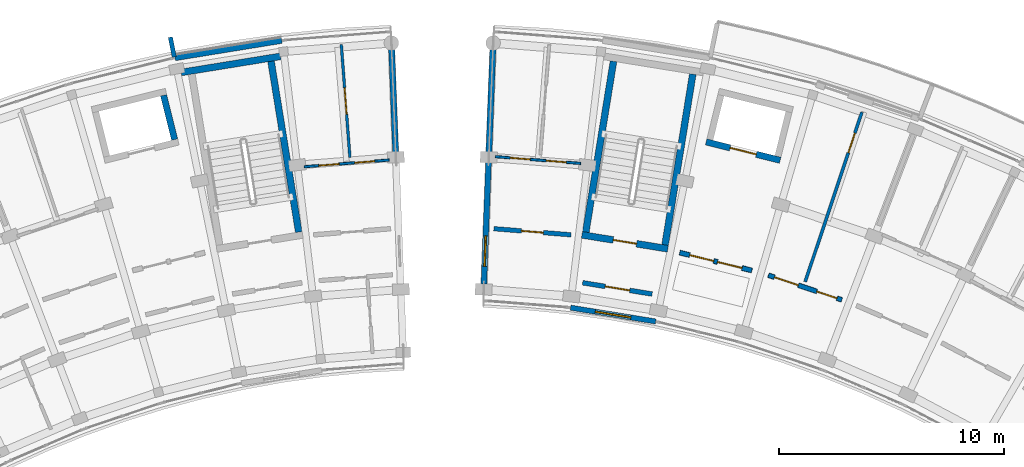
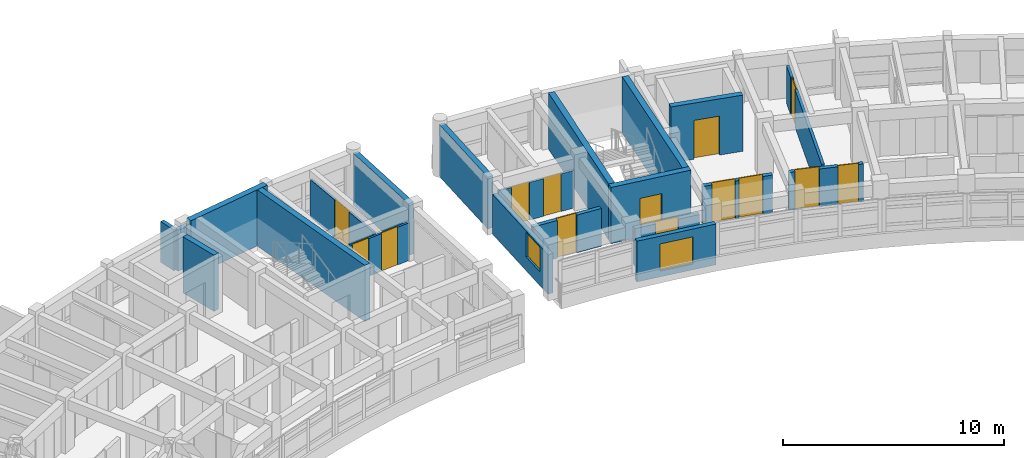
# One storey, part 27 of 40: 21 walls, 14 doors, 2 windows, 16 openings.
"""IFC4 building model written with IfcOpenShell, lengths in metres."""

from ifc_helpers import new_model, si_unit, direction, frame, frame_2d, origin, place, context, subcontext, project, spatial, rectangle, extrude, material, layer, layer_set, type_object, element, fill, save


model = new_model("IFC4")

# Units and contexts
model_context = context("Model", 3, precision=1e-05, world=origin(), true_north=direction((0.0, 1.0)))
body_context = subcontext(model_context, "Body", "Model", "MODEL_VIEW")
ifc_project = project(units=[si_unit("LENGTHUNIT", "METRE"), si_unit("AREAUNIT", "SQUARE_METRE"), si_unit("VOLUMEUNIT", "CUBIC_METRE"), si_unit("PLANEANGLEUNIT", "RADIAN"), si_unit("MASSUNIT", "GRAM", prefix="KILO")], contexts=[model_context])

# Site, building, storey
site_placement = place(None, origin())
site = spatial("IfcSite", under=ifc_project, at=site_placement, CompositionType="ELEMENT")
building_placement = place(site_placement, origin())
building = spatial("IfcBuilding", under=site, at=building_placement, Name="Zimvara Arc Housing Community", CompositionType="ELEMENT")
storey_placement = place(building_placement, frame((0.0, 0.0, 32.89990234375)))
storey = spatial("IfcBuildingStorey", under=building, at=storey_placement, Name="L10", CompositionType="ELEMENT", Elevation=32.89990234375)

# Wall, opening, window
ifc_material_1 = material(Name="Board-Marked Fair-Faced Concrete C35/45", Category="concrete")
ifc_layer_1 = layer(ifc_material_1, 0.22998046875)
ifc_layer_set_1 = layer_set([ifc_layer_1], Name="Board-Marked Fair-Faced Concrete C35/45")
wall_type_1 = type_object("IfcWallType", Name="EWL-CONC-230", PredefinedType="SOLIDWALL", material=ifc_layer_set_1)
wall_1_placement = place(storey_placement, frame((50.7001953125, 91.575439453125, 0.0), z_axis=(0.0, 0.0, 1.0), x_axis=(0.987080708519, -0.160223827412, 0.0)))
wall_1 = element("IfcWall", 1, at=wall_1_placement, inside=storey, type_object=wall_type_1, Name="ewall:blkB:L10:in:b1", PredefinedType="SOLIDWALL", context=body_context, shape_type="SweptSolid", body=[
    extrude(rectangle(XDim=3.832275390625, YDim=0.22998046875, at=frame_2d((1.916015625, 0.0))), origin(), (0.0, 0.0, 1.0), 2.25),
])
opening_1_placement = place(wall_1_placement, frame((1.1162109375, 0.0, 0.320068359375)))
opening_1 = element("IfcOpeningElement", 2, at=opening_1_placement, cuts=wall_1, Name="Opening W03", PredefinedType="OPENING", context=body_context, shape_type="SweptSolid", body=[
    extrude(rectangle(XDim=1.60009765625, YDim=1.5, at=frame_2d((0.800048828125, 0.75))), frame((0.0, 0.125, 0.0), z_axis=(0.0, -1.0, 0.0), x_axis=(1.0, 0.0, 0.0)), (0.0, 0.0, 1.0), 0.25),
])
ifc_material_2 = material(Name="Solar Control Low-E Double Glazing", Category="glass")
window_type_1 = type_object("IfcWindowType", Name="WIN-RES-1600x1500", PartitioningType="DOUBLE_PANEL_VERTICAL", PredefinedType="WINDOW", material=ifc_material_2)
window_1_placement = place(opening_1_placement, origin())
window_1 = element("IfcWindow", 3, at=window_1_placement, inside=storey, type_object=window_type_1, Name="win:blkB:L10:in:b1", OverallHeight=1.5, OverallWidth=1.60009765625, PartitioningType="DOUBLE_PANEL_VERTICAL", PredefinedType="WINDOW", context=body_context, shape_type="SweptSolid", body=[
    extrude(rectangle(XDim=1.60009765625, YDim=1.5, at=frame_2d((0.800048828125, 0.75))), frame((0.0, 0.030029296875, 0.0), z_axis=(0.0, -1.0, 0.0), x_axis=(1.0, 0.0, 0.0)), (0.0, 0.0, 1.0), 0.06005859375),
])
fill(opening_1, window_1)

ifc_material_3 = material(Name="Board-Marked Fair-Faced Concrete C35/45", Category="concrete")
ifc_layer_2 = layer(ifc_material_3, 0.2548828125)
ifc_layer_set_2 = layer_set([ifc_layer_2], Name="Board-Marked Fair-Faced Concrete C35/45")
wall_type_2 = type_object("IfcWallType", Name="EWL-CONC-255", PredefinedType="SOLIDWALL", material=ifc_layer_set_2)
wall_2_placement = place(storey_placement, frame((46.848876953125, 92.62451171875, 0.0), z_axis=(0.0, 0.0, 1.0), x_axis=(0.038384504742, 0.999263043345, 0.0)))
wall_2 = element("IfcWall", 4, at=wall_2_placement, inside=storey, type_object=wall_type_2, Name="ewall:blkB:L10:g0", PredefinedType="SOLIDWALL", context=body_context, shape_type="SweptSolid", body=[
    extrude(rectangle(XDim=5.39990234375, YDim=0.2548828125, at=frame_2d((2.699951171875, 0.0))), origin(), (0.0, 0.0, 1.0), 2.18017578125),
])
opening_2_placement = place(wall_2_placement, frame((0.7900390625, 0.0, 0.75)))
opening_2 = element("IfcOpeningElement", 5, at=opening_2_placement, cuts=wall_2, Name="Opening W12", PredefinedType="OPENING", context=body_context, shape_type="SweptSolid", body=[
    extrude(rectangle(XDim=1.35009765625, YDim=1.35009765625, at=frame_2d((0.675048828125, 0.675048828125))), frame((0.0, 0.137451171875, 0.0), z_axis=(0.0, -1.0, 0.0), x_axis=(1.0, 0.0, 0.0)), (0.0, 0.0, 1.0), 0.27490234375),
])
ifc_material_4 = material(Name="Solar Control Low-E Double Glazing", Category="glass")
window_type_2 = type_object("IfcWindowType", Name="WIN-RES-1350x1350", PartitioningType="DOUBLE_PANEL_VERTICAL", PredefinedType="WINDOW", material=ifc_material_4)
window_2_placement = place(opening_2_placement, origin())
window_2 = element("IfcWindow", 6, at=window_2_placement, inside=storey, type_object=window_type_2, Name="win:blkB:L10:g0:w", OverallHeight=1.35009765625, OverallWidth=1.35009765625, PartitioningType="DOUBLE_PANEL_VERTICAL", PredefinedType="WINDOW", context=body_context, shape_type="SweptSolid", body=[
    extrude(rectangle(XDim=1.35009765625, YDim=1.35009765625, at=frame_2d((0.675048828125, 0.675048828125))), frame((0.0, 0.030029296875, 0.0), z_axis=(0.0, -1.0, 0.0), x_axis=(1.0, 0.0, 0.0)), (0.0, 0.0, 1.0), 0.06005859375),
])
fill(opening_2, window_2)

# Walls
ifc_material_5 = material(Name="Board-Marked Fair-Faced Concrete C35/45", Category="concrete")
ifc_layer_3 = layer(ifc_material_5, 0.195068359375)
ifc_layer_set_3 = layer_set([ifc_layer_3], Name="Board-Marked Fair-Faced Concrete C35/45")
wall_type_3 = type_object("IfcWallType", Name="EWL-PARA-195", PredefinedType="PARAPET", material=ifc_layer_set_3)
wall_3_placement = place(storey_placement, frame((33.092529296875, 102.714599609375, 0.0), z_axis=(0.0, 0.0, 1.0), x_axis=(-0.200183211319, 0.979758481416, 0.0)))
element("IfcWall", 7, at=wall_3_placement, inside=storey, type_object=wall_type_3, Name="finwall:blkA:L10:out:b8", PredefinedType="PARAPET", context=body_context, shape_type="SweptSolid", body=[
    extrude(rectangle(XDim=0.900146484375, YDim=0.195068359375, at=frame_2d((0.4501953125, 0.0))), origin(), (0.0, 0.0, 1.0), 2.25),
])
ifc_material_6 = material(Name="Board-Marked Fair-Faced Concrete C35/45", Category="concrete")
ifc_layer_4 = layer(ifc_material_6, 0.258056640625)
ifc_layer_set_4 = layer_set([ifc_layer_4], Name="Board-Marked Fair-Faced Concrete C35/45")
wall_type_4 = type_object("IfcWallType", Name="EWL-VAR-19", PredefinedType="SOLIDWALL", material=ifc_layer_set_4)
wall_4_placement = place(storey_placement, frame((33.120361328125, 102.6787109375, 0.0), z_axis=(0.0, 0.0, 1.0), x_axis=(0.987080750493, 0.160223568819, 0.0)))
element("IfcWall", 8, at=wall_4_placement, inside=storey, type_object=wall_type_4, Name="ewall:blkA:L10:out:b8", PredefinedType="SOLIDWALL", context=body_context, shape_type="SweptSolid", body=[
    extrude(rectangle(XDim=4.808837890625, YDim=0.258056640625, at=frame_2d((2.404296875, 0.0))), origin(), (0.0, 0.0, 1.0), 2.25),
])

# Wall, opening, door
ifc_material_7 = material(Name="Concrete C35/45", Category="concrete")
ifc_layer_5 = layer(ifc_material_7, 0.2099609375)
ifc_layer_set_5 = layer_set([ifc_layer_5], Name="Concrete C35/45")
wall_type_5 = type_object("IfcWallType", Name="IWL-CCF-210", PredefinedType="SOLIDWALL", material=ifc_layer_set_5)
wall_5_placement = place(storey_placement, frame((51.236328125, 92.682861328125, 0.0), z_axis=(0.0, 0.0, 1.0), x_axis=(0.98707079686, -0.160284877599, 0.0)))
wall_5 = element("IfcWall", 9, at=wall_5_placement, inside=storey, type_object=wall_type_5, Name="iwall:blkB:L10:ccf_div:b1", PredefinedType="SOLIDWALL", context=body_context, shape_type="SweptSolid", body=[
    extrude(rectangle(XDim=3.128662109375, YDim=0.2099609375, at=frame_2d((1.564453125, 0.0))), origin(), (0.0, 0.0, 1.0), 2.080078125),
])
opening_3_placement = place(wall_5_placement, frame((1.014404296875, 0.0, 0.0)))
opening_3 = element("IfcOpeningElement", 10, at=opening_3_placement, cuts=wall_5, Name="Opening FD-CCF1", PredefinedType="OPENING", context=body_context, shape_type="SweptSolid", body=[
    extrude(rectangle(XDim=1.10009765625, YDim=2.14990234375, at=frame_2d((0.550048828125, 1.074951171875))), frame((0.0, 0.114990234375, 0.0), z_axis=(0.0, -1.0, 0.0), x_axis=(1.0, 0.0, 0.0)), (0.0, 0.0, 1.0), 0.22998046875),
])
ifc_material_8 = material(Name="Anodised Aluminium AW-6063", Category="aluminium")
door_type_1 = type_object("IfcDoorType", Name="IDR-CCF-1100x2150", OperationType="NOTDEFINED", PredefinedType="DOOR", material=ifc_material_8)
door_1_placement = place(opening_3_placement, origin())
door_1 = element("IfcDoor", 11, at=door_1_placement, inside=storey, type_object=door_type_1, Name="idoor:blkB:L10:ccf_in:b1", OperationType="SINGLE_SWING_LEFT", OverallHeight=2.14990234375, OverallWidth=1.10009765625, PredefinedType="DOOR", context=body_context, shape_type="SweptSolid", body=[
    extrude(rectangle(XDim=1.10009765625, YDim=2.14990234375, at=frame_2d((0.550048828125, 1.074951171875))), frame((0.0, 0.02490234375, 0.0), z_axis=(0.0, -1.0, 0.0), x_axis=(1.0, 0.0, 0.0)), (0.0, 0.0, 1.0), 0.050048828125),
])
fill(opening_3, door_1)

# Wall, openings, doors
wall_6_placement = place(storey_placement, frame((55.5576171875, 94.021728515625, 0.0), z_axis=(0.0, 0.0, 1.0), x_axis=(0.970719238682, -0.240216901263, 0.0)))
wall_6 = element("IfcWall", 12, at=wall_6_placement, inside=storey, type_object=wall_type_5, Name="iwall:blkB:L10:ll_div:b2", PredefinedType="SOLIDWALL", context=body_context, shape_type="SweptSolid", body=[
    extrude(rectangle(XDim=3.2958984375, YDim=0.2099609375, at=frame_2d((1.64794921875, 0.0))), origin(), (0.0, 0.0, 1.0), 2.080078125),
])
opening_4_placement = place(wall_6_placement, frame((0.449951171875, 0.0, 0.0)))
opening_4 = element("IfcOpeningElement", 13, at=opening_4_placement, cuts=wall_6, Name="Opening FD-CCF1", PredefinedType="OPENING", context=body_context, shape_type="SweptSolid", body=[
    extrude(rectangle(XDim=1.10009765625, YDim=2.14990234375, at=frame_2d((0.550048828125, 1.074951171875))), frame((0.0, 0.114990234375, 0.0), z_axis=(0.0, -1.0, 0.0), x_axis=(1.0, 0.0, 0.0)), (0.0, 0.0, 1.0), 0.22998046875),
])
opening_5_placement = place(wall_6_placement, frame((1.72607421875, 0.0, 0.0)))
opening_5 = element("IfcOpeningElement", 14, at=opening_5_placement, cuts=wall_6, Name="Opening D07", PredefinedType="OPENING", context=body_context, shape_type="SweptSolid", body=[
    extrude(rectangle(XDim=1.1201171875, YDim=2.14990234375, at=frame_2d((0.56005859375, 1.074951171875))), frame((0.0, 0.114990234375, 0.0), z_axis=(0.0, -1.0, 0.0), x_axis=(1.0, 0.0, 0.0)), (0.0, 0.0, 1.0), 0.22998046875),
])
ifc_material_9 = material(Name="Mozambican Hardwood", Category="wood")
door_type_2 = type_object("IfcDoorType", Name="IDR-AMN-1120x2150", OperationType="NOTDEFINED", PredefinedType="DOOR", material=ifc_material_9)
door_2_placement = place(opening_5_placement, origin())
door_2 = element("IfcDoor", 15, at=door_2_placement, inside=storey, type_object=door_type_2, Name="idoor:blkB:L10:rs_in:b2", OperationType="SINGLE_SWING_LEFT", OverallHeight=2.14990234375, OverallWidth=1.1201171875, PredefinedType="DOOR", context=body_context, shape_type="SweptSolid", body=[
    extrude(rectangle(XDim=1.1201171875, YDim=2.14990234375, at=frame_2d((0.56005859375, 1.074951171875))), frame((0.0, 0.02490234375, 0.0), z_axis=(0.0, -1.0, 0.0), x_axis=(1.0, 0.0, 0.0)), (0.0, 0.0, 1.0), 0.050048828125),
])
fill(opening_5, door_2)
door_3_placement = place(opening_4_placement, origin())
door_3 = element("IfcDoor", 16, at=door_3_placement, inside=storey, type_object=door_type_1, Name="idoor:blkB:L10:ll_in:b2", OperationType="SINGLE_SWING_RIGHT", OverallHeight=2.14990234375, OverallWidth=1.10009765625, PredefinedType="DOOR", context=body_context, shape_type="SweptSolid", body=[
    extrude(rectangle(XDim=1.10009765625, YDim=2.14990234375, at=frame_2d((0.550048828125, 1.074951171875))), frame((0.0, 0.02490234375, 0.0), z_axis=(0.0, -1.0, 0.0), x_axis=(1.0, 0.0, 0.0)), (0.0, 0.0, 1.0), 0.050048828125),
])
fill(opening_4, door_3)

# Wall, opening, door
ifc_material_10 = material(Name="Concrete C35/45", Category="concrete")
ifc_layer_6 = layer(ifc_material_10, 0.199951171875)
ifc_layer_set_6 = layer_set([ifc_layer_6], Name="Concrete C35/45")
wall_type_6 = type_object("IfcWallType", Name="IWL-CORR-200", PredefinedType="SOLIDWALL", material=ifc_layer_set_6)
wall_7_placement = place(storey_placement, frame((47.293212890625, 95.0849609375, 0.0), z_axis=(0.0, 0.0, 1.0), x_axis=(0.996862545573, -0.079152165058, 0.0)))
wall_7 = element("IfcWall", 17, at=wall_7_placement, inside=storey, type_object=wall_type_6, Name="iwall:blkB:L10:corr_out:b0", PredefinedType="SOLIDWALL", context=body_context, shape_type="SweptSolid", body=[
    extrude(rectangle(XDim=3.43603515625, YDim=0.199951171875, at=frame_2d((1.718017578125, 0.0))), origin(), (0.0, 0.0, 1.0), 2.080078125),
])
opening_6_placement = place(wall_7_placement, frame((1.22802734375, 0.0, 0.0)))
opening_6 = element("IfcOpeningElement", 18, at=opening_6_placement, cuts=wall_7, Name="Opening FD-FL1", PredefinedType="OPENING", context=body_context, shape_type="SweptSolid", body=[
    extrude(rectangle(XDim=0.97998046875, YDim=2.14990234375, at=frame_2d((0.489990234375, 1.074951171875))), frame((0.0, 0.10986328125, 0.0), z_axis=(0.0, -1.0, 0.0), x_axis=(1.0, 0.0, 0.0)), (0.0, 0.0, 1.0), 0.219970703125),
])
ifc_material_11 = material(Name="Mozambican Hardwood", Category="wood")
door_type_3 = type_object("IfcDoorType", Name="IDR-FLAT-0980x2150", OperationType="NOTDEFINED", PredefinedType="DOOR", material=ifc_material_11)
door_4_placement = place(opening_6_placement, origin())
door_4 = element("IfcDoor", 19, at=door_4_placement, inside=storey, type_object=door_type_3, Name="idoor:blkB:L10:flat:b0", OperationType="SINGLE_SWING_LEFT", OverallHeight=2.14990234375, OverallWidth=0.97998046875, PredefinedType="DOOR", context=body_context, shape_type="SweptSolid", body=[
    extrude(rectangle(XDim=0.97998046875, YDim=2.14990234375, at=frame_2d((0.489990234375, 1.074951171875))), frame((0.0, 0.02490234375, 0.0), z_axis=(0.0, -1.0, 0.0), x_axis=(1.0, 0.0, 0.0)), (0.0, 0.0, 1.0), 0.050048828125),
])
fill(opening_6, door_4)

# Wall, openings, doors
wall_8_placement = place(storey_placement, frame((59.49658203125, 93.017578125, 0.0), z_axis=(0.0, 0.0, 1.0), x_axis=(0.947863007629, -0.318678080151, 0.0)))
wall_8 = element("IfcWall", 20, at=wall_8_placement, inside=storey, type_object=wall_type_6, Name="iwall:blkB:L10:corr_out:b3", PredefinedType="SOLIDWALL", context=body_context, shape_type="SweptSolid", body=[
    extrude(rectangle(XDim=3.43603515625, YDim=0.199951171875, at=frame_2d((1.718017578125, 0.0))), origin(), (0.0, 0.0, 1.0), 2.080078125),
])
opening_7_placement = place(wall_8_placement, frame((0.280029296875, 0.0, 0.0)))
opening_7 = element("IfcOpeningElement", 21, at=opening_7_placement, cuts=wall_8, Name="Opening D07", PredefinedType="OPENING", context=body_context, shape_type="SweptSolid", body=[
    extrude(rectangle(XDim=1.1201171875, YDim=2.14990234375, at=frame_2d((0.56005859375, 1.074951171875))), frame((0.0, 0.10986328125, 0.0), z_axis=(0.0, -1.0, 0.0), x_axis=(1.0, 0.0, 0.0)), (0.0, 0.0, 1.0), 0.219970703125),
])
opening_8_placement = place(wall_8_placement, frame((2.26611328125, 0.0, 0.0)))
opening_8 = element("IfcOpeningElement", 22, at=opening_8_placement, cuts=wall_8, Name="Opening D06", PredefinedType="OPENING", context=body_context, shape_type="SweptSolid", body=[
    extrude(rectangle(XDim=0.949951171875, YDim=2.10009765625, at=frame_2d((0.47509765625, 1.050048828125))), frame((0.0, 0.10986328125, 0.0), z_axis=(0.0, -1.0, 0.0), x_axis=(1.0, 0.0, 0.0)), (0.0, 0.0, 1.0), 0.219970703125),
])
door_5_placement = place(opening_7_placement, origin())
door_5 = element("IfcDoor", 23, at=door_5_placement, inside=storey, type_object=door_type_2, Name="idoor:blkB:L10:amen:b3", OperationType="SINGLE_SWING_RIGHT", OverallHeight=2.14990234375, OverallWidth=1.1201171875, PredefinedType="DOOR", context=body_context, shape_type="SweptSolid", body=[
    extrude(rectangle(XDim=1.1201171875, YDim=2.14990234375, at=frame_2d((0.56005859375, 1.074951171875))), frame((0.0, 0.02490234375, 0.0), z_axis=(0.0, -1.0, 0.0), x_axis=(1.0, 0.0, 0.0)), (0.0, 0.0, 1.0), 0.050048828125),
])
fill(opening_7, door_5)
ifc_material_12 = material(Name="Mozambican Hardwood", Category="wood")
door_type_4 = type_object("IfcDoorType", Name="IDR-AWC-0950x2100", OperationType="NOTDEFINED", PredefinedType="DOOR", material=ifc_material_12)
door_6_placement = place(opening_8_placement, origin())
door_6 = element("IfcDoor", 24, at=door_6_placement, inside=storey, type_object=door_type_4, Name="idoor:blkB:L10:cawc:b3", OperationType="SINGLE_SWING_LEFT", OverallHeight=2.10009765625, OverallWidth=0.949951171875, PredefinedType="DOOR", context=body_context, shape_type="SweptSolid", body=[
    extrude(rectangle(XDim=0.949951171875, YDim=2.10009765625, at=frame_2d((0.47509765625, 1.050048828125))), frame((0.0, 0.02490234375, 0.0), z_axis=(0.0, -1.0, 0.0), x_axis=(1.0, 0.0, 0.0)), (0.0, 0.0, 1.0), 0.050048828125),
])
fill(opening_8, door_6)

ifc_material_13 = material(Name="Painted Acoustic Plasterboard")
ifc_layer_7 = layer(ifc_material_13, 0.10498046875)
ifc_layer_set_7 = layer_set([ifc_layer_7], Name="Painted Acoustic Plasterboard")
wall_type_7 = type_object("IfcWallType", Name="IWL-PART-105", PredefinedType="PARTITIONING", material=ifc_layer_set_7)
wall_9_placement = place(storey_placement, frame((38.8662109375, 97.837158203125, 0.0), z_axis=(0.0, 0.0, 1.0), x_axis=(0.996863292793, 0.079142753818, 0.0)))
wall_9 = element("IfcWall", 25, at=wall_9_placement, inside=storey, type_object=wall_type_7, Name="iwall:blkA:L10:srv:b9", PredefinedType="PARTITIONING", context=body_context, shape_type="SweptSolid", body=[
    extrude(rectangle(XDim=3.78515625, YDim=0.10498046875, at=frame_2d((1.892578125, 0.0))), origin(), (0.0, 0.0, 1.0), 2.080078125),
])
opening_9_placement = place(wall_9_placement, frame((0.64990234375, 0.0, 0.0)))
opening_9 = element("IfcOpeningElement", 26, at=opening_9_placement, cuts=wall_9, Name="Opening D01", PredefinedType="OPENING", context=body_context, shape_type="SweptSolid", body=[
    extrude(rectangle(XDim=0.89990234375, YDim=2.10009765625, at=frame_2d((0.449951171875, 1.050048828125))), frame((0.0, 0.0625, 0.0), z_axis=(0.0, -1.0, 0.0), x_axis=(1.0, 0.0, 0.0)), (0.0, 0.0, 1.0), 0.125),
])
opening_10_placement = place(wall_9_placement, frame((2.255126953125, 0.0, 0.0)))
opening_10 = element("IfcOpeningElement", 27, at=opening_10_placement, cuts=wall_9, Name="Opening D05", PredefinedType="OPENING", context=body_context, shape_type="SweptSolid", body=[
    extrude(rectangle(XDim=0.8798828125, YDim=2.10009765625, at=frame_2d((0.43994140625, 1.050048828125))), frame((0.0, 0.0625, 0.0), z_axis=(0.0, -1.0, 0.0), x_axis=(1.0, 0.0, 0.0)), (0.0, 0.0, 1.0), 0.125),
])
ifc_material_14 = material(Name="Mozambican Hardwood", Category="wood")
door_type_5 = type_object("IfcDoorType", Name="IDR-RM-0900x2100", OperationType="NOTDEFINED", PredefinedType="DOOR", material=ifc_material_14)
door_7_placement = place(opening_9_placement, origin())
door_7 = element("IfcDoor", 28, at=door_7_placement, inside=storey, type_object=door_type_5, Name="idoor:blkA:L10:kit_liv:b9", OperationType="SINGLE_SWING_RIGHT", OverallHeight=2.10009765625, OverallWidth=0.89990234375, PredefinedType="DOOR", context=body_context, shape_type="SweptSolid", body=[
    extrude(rectangle(XDim=0.89990234375, YDim=2.10009765625, at=frame_2d((0.449951171875, 1.050048828125))), frame((0.0, 0.02490234375, 0.0), z_axis=(0.0, -1.0, 0.0), x_axis=(1.0, 0.0, 0.0)), (0.0, 0.0, 1.0), 0.050048828125),
])
fill(opening_9, door_7)
ifc_material_15 = material(Name="Mozambican Hardwood", Category="wood")
door_type_6 = type_object("IfcDoorType", Name="IDR-WC-0880x2100", OperationType="NOTDEFINED", PredefinedType="DOOR", material=ifc_material_15)
door_8_placement = place(opening_10_placement, origin())
door_8 = element("IfcDoor", 29, at=door_8_placement, inside=storey, type_object=door_type_6, Name="idoor:blkA:L10:bath_d:b9", OperationType="SINGLE_SWING_LEFT", OverallHeight=2.10009765625, OverallWidth=0.8798828125, PredefinedType="DOOR", context=body_context, shape_type="SweptSolid", body=[
    extrude(rectangle(XDim=0.8798828125, YDim=2.10009765625, at=frame_2d((0.43994140625, 1.050048828125))), frame((0.0, 0.02490234375, 0.0), z_axis=(0.0, -1.0, 0.0), x_axis=(1.0, 0.0, 0.0)), (0.0, 0.0, 1.0), 0.050048828125),
])
fill(opening_10, door_8)

wall_10_placement = place(storey_placement, frame((47.3662109375, 98.28662109375, 0.0), z_axis=(0.0, 0.0, 1.0), x_axis=(0.996863138536, -0.079144696778, 0.0)))
wall_10 = element("IfcWall", 30, at=wall_10_placement, inside=storey, type_object=wall_type_7, Name="iwall:blkB:L10:srv:b0", PredefinedType="PARTITIONING", context=body_context, shape_type="SweptSolid", body=[
    extrude(rectangle(XDim=3.79736328125, YDim=0.10498046875, at=frame_2d((1.898681640625, 0.0))), origin(), (0.0, 0.0, 1.0), 2.080078125),
])
opening_11_placement = place(wall_10_placement, frame((0.64990234375, 0.0, 0.0)))
opening_11 = element("IfcOpeningElement", 31, at=opening_11_placement, cuts=wall_10, Name="Opening D01", PredefinedType="OPENING", context=body_context, shape_type="SweptSolid", body=[
    extrude(rectangle(XDim=0.89990234375, YDim=2.10009765625, at=frame_2d((0.449951171875, 1.050048828125))), frame((0.0, 0.0625, 0.0), z_axis=(0.0, -1.0, 0.0), x_axis=(1.0, 0.0, 0.0)), (0.0, 0.0, 1.0), 0.125),
])
opening_12_placement = place(wall_10_placement, frame((2.267333984375, 0.0, 0.0)))
opening_12 = element("IfcOpeningElement", 32, at=opening_12_placement, cuts=wall_10, Name="Opening D05", PredefinedType="OPENING", context=body_context, shape_type="SweptSolid", body=[
    extrude(rectangle(XDim=0.8798828125, YDim=2.10009765625, at=frame_2d((0.43994140625, 1.050048828125))), frame((0.0, 0.0625, 0.0), z_axis=(0.0, -1.0, 0.0), x_axis=(1.0, 0.0, 0.0)), (0.0, 0.0, 1.0), 0.125),
])
door_9_placement = place(opening_11_placement, origin())
door_9 = element("IfcDoor", 33, at=door_9_placement, inside=storey, type_object=door_type_5, Name="idoor:blkB:L10:kit_liv:b0", OperationType="SINGLE_SWING_RIGHT", OverallHeight=2.10009765625, OverallWidth=0.89990234375, PredefinedType="DOOR", context=body_context, shape_type="SweptSolid", body=[
    extrude(rectangle(XDim=0.89990234375, YDim=2.10009765625, at=frame_2d((0.449951171875, 1.050048828125))), frame((0.0, 0.02490234375, 0.0), z_axis=(0.0, -1.0, 0.0), x_axis=(1.0, 0.0, 0.0)), (0.0, 0.0, 1.0), 0.050048828125),
])
fill(opening_11, door_9)
door_10_placement = place(opening_12_placement, origin())
door_10 = element("IfcDoor", 34, at=door_10_placement, inside=storey, type_object=door_type_6, Name="idoor:blkB:L10:bath_d:b0", OperationType="SINGLE_SWING_LEFT", OverallHeight=2.10009765625, OverallWidth=0.8798828125, PredefinedType="DOOR", context=body_context, shape_type="SweptSolid", body=[
    extrude(rectangle(XDim=0.8798828125, YDim=2.10009765625, at=frame_2d((0.43994140625, 1.050048828125))), frame((0.0, 0.02490234375, 0.0), z_axis=(0.0, -1.0, 0.0), x_axis=(1.0, 0.0, 0.0)), (0.0, 0.0, 1.0), 0.050048828125),
])
fill(opening_12, door_10)

# Wall, opening, door
ifc_material_16 = material(Name="Painted Acoustic Plasterboard")
ifc_layer_8 = layer(ifc_material_16, 0.1201171875)
ifc_layer_set_8 = layer_set([ifc_layer_8], Name="Painted Acoustic Plasterboard")
wall_type_8 = type_object("IfcWallType", Name="IWL-PART-120", PredefinedType="PARTITIONING", material=ifc_layer_set_8)
wall_11_placement = place(storey_placement, frame((40.8955078125, 98.243408203125, 0.0), z_axis=(0.0, 0.0, 1.0), x_axis=(-0.076141951799, 0.997096987848, 0.0)))
wall_11 = element("IfcWall", 35, at=wall_11_placement, inside=storey, type_object=wall_type_8, Name="iwall:blkA:L10:bed_div:b9", PredefinedType="PARTITIONING", context=body_context, shape_type="SweptSolid", body=[
    extrude(rectangle(XDim=5.050048828125, YDim=0.1201171875, at=frame_2d((2.52490234375, 0.0))), origin(), (0.0, 0.0, 1.0), 2.080078125),
])
opening_13_placement = place(wall_11_placement, frame((1.93505859375, 0.0, 0.0)))
opening_13 = element("IfcOpeningElement", 36, at=opening_13_placement, cuts=wall_11, Name="Opening D18", PredefinedType="OPENING", context=body_context, shape_type="SweptSolid", body=[
    extrude(rectangle(XDim=1.179931640625, YDim=2.10009765625, at=frame_2d((0.58984375, 1.050048828125))), frame((0.0, 0.070068359375, 0.0), z_axis=(0.0, -1.0, 0.0), x_axis=(1.0, 0.0, 0.0)), (0.0, 0.0, 1.0), 0.14013671875),
])
ifc_material_17 = material(Name="Mozambican Hardwood", Category="wood")
door_type_7 = type_object("IfcDoorType", Name="IDR-MOD-1180x2120", OperationType="NOTDEFINED", PredefinedType="DOOR", material=ifc_material_17)
door_11_placement = place(opening_13_placement, origin())
door_11 = element("IfcDoor", 37, at=door_11_placement, inside=storey, type_object=door_type_7, Name="idoor:blkA:L10:bed_d:b9", OperationType="SINGLE_SWING_RIGHT", OverallHeight=2.10009765625, OverallWidth=1.179931640625, PredefinedType="DOOR", context=body_context, shape_type="SweptSolid", body=[
    extrude(rectangle(XDim=1.179931640625, YDim=2.10009765625, at=frame_2d((0.58984375, 1.050048828125))), frame((0.0, 0.02490234375, 0.0), z_axis=(0.0, -1.0, 0.0), x_axis=(1.0, 0.0, 0.0)), (0.0, 0.0, 1.0), 0.050048828125),
])
fill(opening_13, door_11)

ifc_material_18 = material(Name="Painted Acoustic Plasterboard")
ifc_layer_9 = layer(ifc_material_18, 0.139892578125)
ifc_layer_set_9 = layer_set([ifc_layer_9], Name="Painted Acoustic Plasterboard")
wall_type_9 = type_object("IfcWallType", Name="IWL-PART-140", PredefinedType="PARTITIONING", material=ifc_layer_set_9)
wall_12_placement = place(storey_placement, frame((61.129638671875, 92.72412109375, 0.0), z_axis=(0.0, 0.0, 1.0), x_axis=(0.317204178278, 0.948357268798, 0.0)))
wall_12 = element("IfcWall", 38, at=wall_12_placement, inside=storey, type_object=wall_type_9, Name="iwall:blkB:L10:amen_div:b3", PredefinedType="PARTITIONING", context=body_context, shape_type="SweptSolid", body=[
    extrude(rectangle(XDim=7.949951171875, YDim=0.139892578125, at=frame_2d((3.97509765625, 0.0))), origin(), (0.0, 0.0, 1.0), 2.080078125),
])
opening_14_placement = place(wall_12_placement, frame((6.050048828125, 0.0, 0.0)))
opening_14 = element("IfcOpeningElement", 39, at=opening_14_placement, cuts=wall_12, Name="Opening D02", PredefinedType="OPENING", context=body_context, shape_type="SweptSolid", body=[
    extrude(rectangle(XDim=0.919921875, YDim=2.10009765625, at=frame_2d((0.4599609375, 1.050048828125))), frame((0.0, 0.079833984375, 0.0), z_axis=(0.0, -1.0, 0.0), x_axis=(1.0, 0.0, 0.0)), (0.0, 0.0, 1.0), 0.159912109375),
])
ifc_material_19 = material(Name="Mozambican Hardwood", Category="wood")
door_type_8 = type_object("IfcDoorType", Name="IDR-RM-0920x2100", OperationType="NOTDEFINED", PredefinedType="DOOR", material=ifc_material_19)
door_12_placement = place(opening_14_placement, origin())
door_12 = element("IfcDoor", 40, at=door_12_placement, inside=storey, type_object=door_type_8, Name="idoor:blkB:L10:laund_d:b3", OperationType="SINGLE_SWING_RIGHT", OverallHeight=2.10009765625, OverallWidth=0.919921875, PredefinedType="DOOR", context=body_context, shape_type="SweptSolid", body=[
    extrude(rectangle(XDim=0.919921875, YDim=2.10009765625, at=frame_2d((0.4599609375, 1.050048828125))), frame((0.0, 0.02490234375, 0.0), z_axis=(0.0, -1.0, 0.0), x_axis=(1.0, 0.0, 0.0)), (0.0, 0.0, 1.0), 0.050048828125),
])
fill(opening_14, door_12)

# Wall
ifc_material_20 = material(Name="Concrete C40/50", Category="concrete")
ifc_layer_10 = layer(ifc_material_20, 0.280029296875)
ifc_layer_set_10 = layer_set([ifc_layer_10], Name="Concrete C40/50")
wall_type_10 = type_object("IfcWallType", Name="WL-CORE-280", PredefinedType="SHEAR", material=ifc_layer_set_10)
wall_13_placement = place(storey_placement, frame((33.103515625, 99.04443359375, 0.0), z_axis=(0.0, 0.0, 1.0), x_axis=(-0.240186044774, 0.970726873995, 0.0)))
element("IfcWall", 41, at=wall_13_placement, inside=storey, type_object=wall_type_10, Name="lwall:LF-A2:L10:left", PredefinedType="SHEAR", context=body_context, shape_type="SweptSolid", body=[
    extrude(rectangle(XDim=2.02978515625, YDim=0.280029296875, at=frame_2d((1.014892578125, 0.0))), origin(), (0.0, 0.0, 1.0), 3.10009765625),
])

# Wall, opening, door
wall_14_placement = place(storey_placement, frame((60.017578125, 98.127685546875, 0.0), z_axis=(0.0, 0.0, 1.0), x_axis=(-0.970707542441, 0.240264160972, 0.0)))
wall_14 = element("IfcWall", 42, at=wall_14_placement, inside=storey, type_object=wall_type_10, Name="lwall:LF-B1:L10:front", PredefinedType="SHEAR", context=body_context, shape_type="SweptSolid", body=[
    extrude(rectangle(XDim=3.389892578125, YDim=0.280029296875, at=frame_2d((1.69482421875, 0.0))), origin(), (0.0, 0.0, 1.0), 3.10009765625),
])
opening_15_placement = place(wall_14_placement, frame((1.094970703125, 0.0, 0.0)))
opening_15 = element("IfcOpeningElement", 43, at=opening_15_placement, cuts=wall_14, Name="Opening LD-LF-B1", PredefinedType="OPENING", context=body_context, shape_type="SweptSolid", body=[
    extrude(rectangle(XDim=1.199951171875, YDim=2.14990234375, at=frame_2d((0.60009765625, 1.074951171875))), frame((0.0, 0.14990234375, 0.0), z_axis=(0.0, -1.0, 0.0), x_axis=(1.0, 0.0, 0.0)), (0.0, 0.0, 1.0), 0.300048828125),
])
ifc_material_21 = material(Name="Anodised Aluminium AW-6063", Category="aluminium")
door_type_9 = type_object("IfcDoorType", Name="IDR-LD-1200x2150", OperationType="DOUBLE_DOOR_SLIDING", PredefinedType="DOOR", material=ifc_material_21)
door_13_placement = place(opening_15_placement, origin())
door_13 = element("IfcDoor", 44, at=door_13_placement, inside=storey, type_object=door_type_9, Name="Lift LF-B1 Sliding Landing Door L10", OperationType="DOUBLE_DOOR_SLIDING", OverallHeight=2.14990234375, OverallWidth=1.199951171875, PredefinedType="DOOR", context=body_context, shape_type="SweptSolid", body=[
    extrude(rectangle(XDim=1.199951171875, YDim=2.14990234375, at=frame_2d((0.60009765625, 1.074951171875))), frame((0.0, 0.02490234375, 0.0), z_axis=(0.0, -1.0, 0.0), x_axis=(1.0, 0.0, 0.0)), (0.0, 0.0, 1.0), 0.050048828125),
])
fill(opening_15, door_13)

# Walls
ifc_material_22 = material(Name="Concrete C40/50", Category="concrete")
ifc_layer_11 = layer(ifc_material_22, 0.300048828125)
ifc_layer_set_11 = layer_set([ifc_layer_11], Name="Concrete C40/50")
wall_type_11 = type_object("IfcWallType", Name="WL-CORE-300", PredefinedType="SHEAR", material=ifc_layer_set_11)
wall_15_placement = place(storey_placement, frame((37.8095703125, 102.745361328125, 0.0), z_axis=(0.0, 0.0, 1.0), x_axis=(-0.987084710126, -0.160199173019, 0.0)))
element("IfcWall", 45, at=wall_15_placement, inside=storey, type_object=wall_type_11, Name="cwall:ST-A2:L10:far", PredefinedType="SHEAR", context=body_context, shape_type="SweptSolid", body=[
    extrude(rectangle(XDim=4.4697265625, YDim=0.300048828125, at=frame_2d((2.23486328125, 0.0))), origin(), (0.0, 0.0, 1.0), 3.10009765625),
])
wall_16_placement = place(storey_placement, frame((38.62158203125, 94.9345703125, 0.0), z_axis=(0.0, 0.0, 1.0), x_axis=(-0.160196564502, 0.987085133472, 0.0)))
element("IfcWall", 46, at=wall_16_placement, inside=storey, type_object=wall_type_11, Name="cwall:ST-A2:L10:left", PredefinedType="SHEAR", context=body_context, shape_type="SweptSolid", body=[
    extrude(rectangle(XDim=7.690185546875, YDim=0.300048828125, at=frame_2d((3.84521484375, 0.0))), origin(), (0.0, 0.0, 1.0), 3.10009765625),
])

# Wall, opening, door
wall_17_placement = place(storey_placement, frame((55.026123046875, 94.1904296875, 0.0), z_axis=(0.0, 0.0, 1.0), x_axis=(-0.987077443397, 0.160243941341, 0.0)))
wall_17 = element("IfcWall", 47, at=wall_17_placement, inside=storey, type_object=wall_type_11, Name="cwall:ST-B1:L10:near", PredefinedType="SHEAR", context=body_context, shape_type="SweptSolid", body=[
    extrude(rectangle(XDim=3.869873046875, YDim=0.300048828125, at=frame_2d((1.93505859375, 0.0))), origin(), (0.0, 0.0, 1.0), 3.10009765625),
])
opening_16_placement = place(wall_17_placement, frame((1.409912109375, 0.0, 0.0)))
opening_16 = element("IfcOpeningElement", 48, at=opening_16_placement, cuts=wall_17, Name="Opening FD-ST2", PredefinedType="OPENING", context=body_context, shape_type="SweptSolid", body=[
    extrude(rectangle(XDim=1.050048828125, YDim=2.14990234375, at=frame_2d((0.52490234375, 1.074951171875))), frame((0.0, 0.159912109375, 0.0), z_axis=(0.0, -1.0, 0.0), x_axis=(1.0, 0.0, 0.0)), (0.0, 0.0, 1.0), 0.320068359375),
])
ifc_material_23 = material(Name="Anodised Aluminium AW-6063", Category="aluminium")
door_type_10 = type_object("IfcDoorType", Name="IDR-ST-1050x2150", OperationType="NOTDEFINED", PredefinedType="DOOR", material=ifc_material_23)
door_14_placement = place(opening_16_placement, origin())
door_14 = element("IfcDoor", 49, at=door_14_placement, inside=storey, type_object=door_type_10, Name="idoor:ST-B1:L10:entry", OperationType="SINGLE_SWING_RIGHT", OverallHeight=2.14990234375, OverallWidth=1.050048828125, PredefinedType="DOOR", context=body_context, shape_type="SweptSolid", body=[
    extrude(rectangle(XDim=1.050048828125, YDim=2.14990234375, at=frame_2d((0.52490234375, 1.074951171875))), frame((0.0, 0.02490234375, 0.0), z_axis=(0.0, -1.0, 0.0), x_axis=(1.0, 0.0, 0.0)), (0.0, 0.0, 1.0), 0.050048828125),
])
fill(opening_16, door_14)

# Walls
for number, where, z_axis, x_axis, name in (
    (50, (54.902099609375, 94.362548828125, 0.0), (0.0, 0.0, 1.0), (0.160227496777, 0.987080112897, 0.0), "cwall:ST-B1:L10:left"),
    (51, (51.37841796875, 94.9345703125, 0.0), (0.0, 0.0, 1.0), (0.160196564502, 0.987085133472, 0.0), "cwall:ST-B1:L10:right"),
):
    element("IfcWall", number, at=place(storey_placement, frame(where, z_axis=z_axis, x_axis=x_axis)), inside=storey, type_object=wall_type_11, Name=name, PredefinedType="SHEAR", context=body_context, shape_type="SweptSolid", body=[
        extrude(rectangle(XDim=7.690185546875, YDim=0.300048828125, at=frame_2d((3.84521484375, 0.0))), origin(), (0.0, 0.0, 1.0), 3.10009765625),
    ])
ifc_material_24 = material(Name="Concrete C40/50", Category="concrete")
ifc_layer_12 = layer(ifc_material_24, 0.27001953125)
ifc_layer_set_12 = layer_set([ifc_layer_12], Name="Concrete C40/50")
wall_type_12 = type_object("IfcWallType", Name="WL-SHEAR-270", PredefinedType="SHEAR", material=ifc_layer_set_12)
for number, where, z_axis, x_axis, name in (
    (52, (42.927734375, 98.440185546875, 0.0), (0.0, 0.0, 1.0), (-0.038379487611, 0.999263236055, 0.0), "swall:blkA:L10:east"),
    (53, (47.072265625, 98.440185546875, 0.0), (0.0, 0.0, 1.0), (0.038379487611, 0.999263236055, 0.0), "swall:blkB:L10:west"),
):
    element("IfcWall", number, at=place(storey_placement, frame(where, z_axis=z_axis, x_axis=x_axis)), inside=storey, type_object=wall_type_12, Name=name, PredefinedType="SHEAR", context=body_context, shape_type="SweptSolid", body=[
        extrude(rectangle(XDim=4.719970703125, YDim=0.27001953125, at=frame_2d((2.35986328125, 0.0))), origin(), (0.0, 0.0, 1.0), 2.860107421875),
    ])

save(model, "model.ifc")
